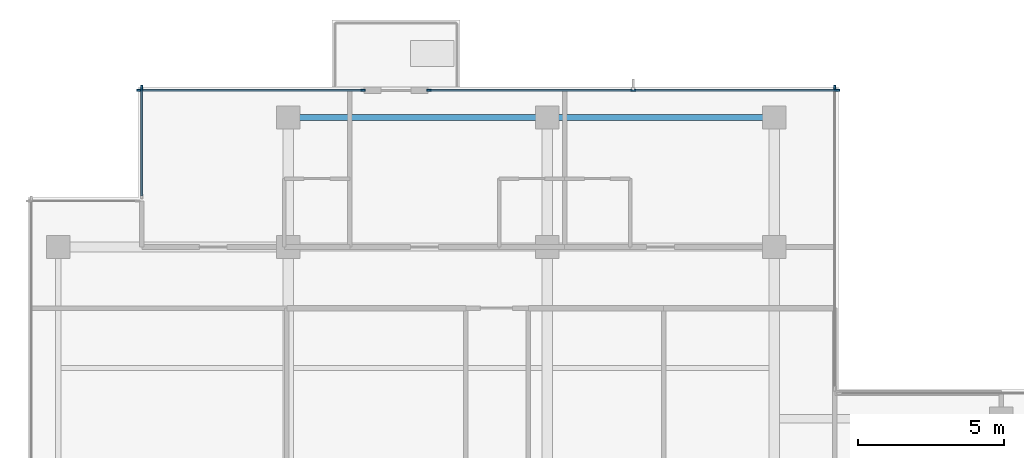
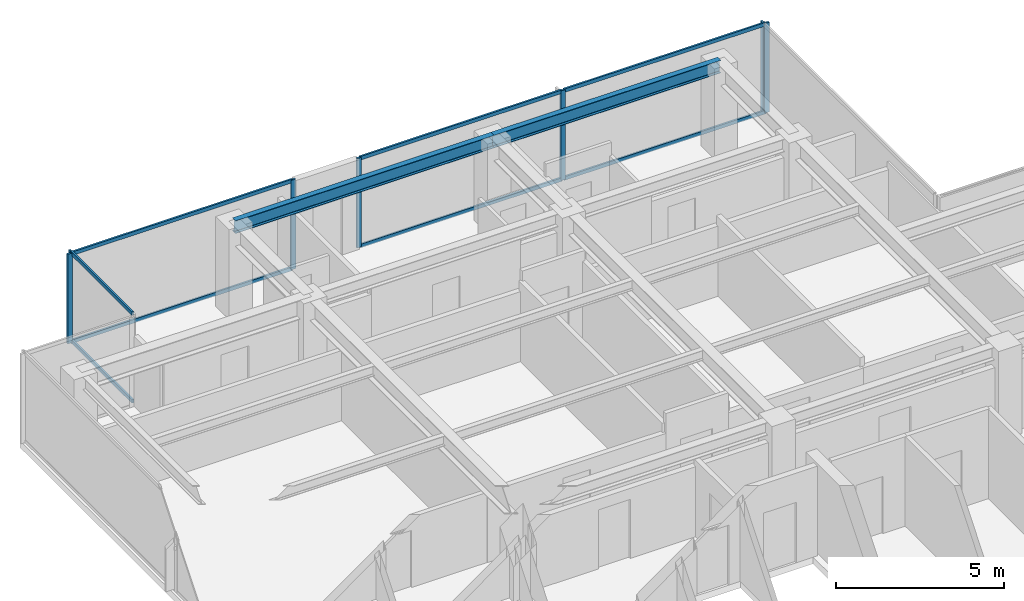
# One storey, part 4 of 11: 15 members, 2 beams, 4 elements without a shape of their own.
"""IFC4 building model written with IfcOpenShell, lengths in metres."""

from ifc_helpers import new_model, si_unit, direction, frame, origin, origin_2d, place, context, subcontext, project, spatial, rectangle, i_section, extrude, material, layer, layer_set, material_profile, profile_set, type_object, element, aggregate, save


model = new_model("IFC4")

# Units and contexts
model_context = context("Model", 3, precision=1e-05, world=origin(), true_north=direction((0.0, 1.0)))
body_context = subcontext(model_context, "Body", "Model", "MODEL_VIEW")
ifc_project = project(units=[si_unit("LENGTHUNIT", "METRE"), si_unit("AREAUNIT", "SQUARE_METRE"), si_unit("VOLUMEUNIT", "CUBIC_METRE"), si_unit("PLANEANGLEUNIT", "RADIAN"), si_unit("MASSUNIT", "GRAM", prefix="KILO")], contexts=[model_context])

# Site, building, storey
site_placement = place(None, origin())
site = spatial("IfcSite", under=ifc_project, at=site_placement, CompositionType="ELEMENT")
building_placement = place(site_placement, origin())
building = spatial("IfcBuilding", under=site, at=building_placement, Name="Qalmaran Belvedere Hotel", CompositionType="ELEMENT")
storey_placement = place(building_placement, frame((0.0, 0.0, 266.89990234375)))
storey = spatial("IfcBuildingStorey", under=building, at=storey_placement, Name="L69", CompositionType="ELEMENT", Elevation=266.89990234375)

# Beams
ifc_material_1 = material(Name="Steel S355JR", Category="steel")
ifc_material_profile_1 = material_profile(ifc_material_1, i_section(OverallWidth=0.19189453125, OverallDepth=0.462890625, WebThickness=0.010498046875, FlangeThickness=0.017578125, FilletRadius=0.01611328125, at=origin_2d()), Name="W460X89")
ifc_profile_set_1 = profile_set([ifc_material_profile_1], Name="Steel S355JR")
beam_type = type_object("IfcBeamType", Name="BM-SP2-W460X89", PredefinedType="SPANDREL", material=ifc_profile_set_1)
beam_1_placement = place(storey_placement, frame((20.300048828125, 37.449951171875, 3.028564453125), z_axis=(1.0, 0.0, 0.0), x_axis=(0.0, 1.0, 0.0)))
element("IfcBeam", 1, at=beam_1_placement, inside=storey, type_object=beam_type, Name="L69 Perimeter Spandrel 04", PredefinedType="SPANDREL", context=body_context, shape_type="SweptSolid", body=[
    extrude(i_section(OverallWidth=0.19189453125, OverallDepth=0.462890625, WebThickness=0.010498046875, FlangeThickness=0.017578125, FilletRadius=0.01611328125, at=origin_2d()), origin(), (0.0, 0.0, 1.0), 8.89990234375),
])
beam_2_placement = place(storey_placement, frame((29.199951171875, 37.449951171875, 3.028564453125), z_axis=(1.0, 0.0, 0.0), x_axis=(0.0, 1.0, 0.0)))
element("IfcBeam", 2, at=beam_2_placement, inside=storey, type_object=beam_type, Name="L69 Perimeter Spandrel 05", PredefinedType="SPANDREL", context=body_context, shape_type="SweptSolid", body=[
    extrude(i_section(OverallWidth=0.19189453125, OverallDepth=0.462890625, WebThickness=0.010498046875, FlangeThickness=0.017578125, FilletRadius=0.01611328125, at=origin_2d()), origin(), (0.0, 0.0, 1.0), 7.800048828125),
])

# Curtain wall, member
ifc_material_2 = material(Name="Anodised Bronze Aluminium", Category="aluminium")
ifc_layer = layer(ifc_material_2, 0.18505859375, Name="Anodised Bronze Aluminium")
ifc_layer_set = layer_set([ifc_layer], Name="Anodised Bronze Aluminium")
curtain_wall_type = type_object("IfcCurtainWallType", Name="CW6-TOWER-SKY", PredefinedType="NOTDEFINED", material=ifc_layer_set)
curtain_wall_1_placement = place(storey_placement, origin())
curtain_wall_1 = element("IfcCurtainWall", 3, at=curtain_wall_1_placement, inside=storey, type_object=curtain_wall_type, Name="L69 Curtain Wall CW6", PredefinedType="NOTDEFINED")
ifc_material_profile_2 = material_profile(ifc_material_2, rectangle(XDim=0.06494140625, YDim=0.1650390625, at=origin_2d()), Name="CWM65X165")
ifc_profile_set_2 = profile_set([ifc_material_profile_2], Name="Anodised Bronze Aluminium")
member_type_1 = type_object("IfcMemberType", Name="CWM-65X165", PredefinedType="MULLION", material=ifc_profile_set_2)
member_1_placement = place(storey_placement, frame((39.080078125, 38.467529296875, 0.0), z_axis=(0.0, 0.0, 1.0), x_axis=(-1.0, 0.0, 0.0)))
member_1 = element("IfcMember", 4, at=member_1_placement, type_object=member_type_1, Name="CW6 mullion 2", PredefinedType="MULLION", context=body_context, shape_type="SweptSolid", body=[
    extrude(rectangle(XDim=0.06494140625, YDim=0.1650390625, at=origin_2d()), origin(), (0.0, 0.0, 1.0), 3.260009765625),
])
aggregate(curtain_wall_1, [member_1])

# Curtain wall, members
curtain_wall_2_placement = place(storey_placement, origin())
curtain_wall_2 = element("IfcCurtainWall", 5, at=curtain_wall_2_placement, inside=storey, type_object=curtain_wall_type, Name="L69 Curtain Wall CW6", PredefinedType="NOTDEFINED")
member_2_placement = place(storey_placement, frame((22.867431640625, 38.3798828125, 0.0), z_axis=(0.0, 0.0, 1.0), x_axis=(0.0, -1.0, 0.0)))
member_2 = element("IfcMember", 6, at=member_2_placement, type_object=member_type_1, Name="CW6 mullion 1", PredefinedType="MULLION", context=body_context, shape_type="SweptSolid", body=[
    extrude(rectangle(XDim=0.06494140625, YDim=0.1650390625, at=origin_2d()), origin(), (0.0, 0.0, 1.0), 3.260009765625),
])
member_3_placement = place(storey_placement, frame((15.1826171875, 38.3798828125, 0.0), z_axis=(0.0, 0.0, 1.0), x_axis=(0.0, -1.0, 0.0)))
member_3 = element("IfcMember", 7, at=member_3_placement, type_object=member_type_1, Name="CW6 mullion 2", PredefinedType="MULLION", context=body_context, shape_type="SweptSolid", body=[
    extrude(rectangle(XDim=0.06494140625, YDim=0.1650390625, at=origin_2d()), origin(), (0.0, 0.0, 1.0), 3.260009765625),
])

curtain_wall_3_placement = place(storey_placement, origin())
curtain_wall_3 = element("IfcCurtainWall", 8, at=curtain_wall_3_placement, inside=storey, type_object=curtain_wall_type, Name="L69 Curtain Wall CW6", PredefinedType="NOTDEFINED")
member_4_placement = place(storey_placement, frame((39.16748046875, 38.3798828125, 0.0), z_axis=(0.0, 0.0, 1.0), x_axis=(0.0, -1.0, 0.0)))
member_4 = element("IfcMember", 9, at=member_4_placement, type_object=member_type_1, Name="CW6 mullion 1", PredefinedType="MULLION", context=body_context, shape_type="SweptSolid", body=[
    extrude(rectangle(XDim=0.06494140625, YDim=0.1650390625, at=origin_2d()), origin(), (0.0, 0.0, 1.0), 3.260009765625),
])
member_5_placement = place(storey_placement, frame((32.14990234375, 38.3798828125, 0.0), z_axis=(0.0, 0.0, 1.0), x_axis=(0.0, -1.0, 0.0)))
member_5 = element("IfcMember", 10, at=member_5_placement, type_object=member_type_1, Name="CW6 mullion 2", PredefinedType="MULLION", context=body_context, shape_type="SweptSolid", body=[
    extrude(rectangle(XDim=0.06494140625, YDim=0.1650390625, at=origin_2d()), origin(), (0.0, 0.0, 1.0), 3.260009765625),
])
member_6_placement = place(storey_placement, frame((25.132568359375, 38.3798828125, 0.0), z_axis=(0.0, 0.0, 1.0), x_axis=(0.0, -1.0, 0.0)))
member_6 = element("IfcMember", 11, at=member_6_placement, type_object=member_type_1, Name="CW6 mullion 3", PredefinedType="MULLION", context=body_context, shape_type="SweptSolid", body=[
    extrude(rectangle(XDim=0.06494140625, YDim=0.1650390625, at=origin_2d()), origin(), (0.0, 0.0, 1.0), 3.260009765625),
])

# Curtain wall, member
curtain_wall_4_placement = place(storey_placement, origin())
curtain_wall_4 = element("IfcCurtainWall", 12, at=curtain_wall_4_placement, inside=storey, type_object=curtain_wall_type, Name="L69 Curtain Wall CW6", PredefinedType="NOTDEFINED")
member_7_placement = place(storey_placement, frame((15.27001953125, 38.467529296875, 0.0), z_axis=(0.0, 0.0, 1.0), x_axis=(1.0, 0.0, 0.0)))
member_7 = element("IfcMember", 13, at=member_7_placement, type_object=member_type_1, Name="CW6 mullion 1", PredefinedType="MULLION", context=body_context, shape_type="SweptSolid", body=[
    extrude(rectangle(XDim=0.06494140625, YDim=0.1650390625, at=origin_2d()), origin(), (0.0, 0.0, 1.0), 3.260009765625),
])

# Member
ifc_material_profile_3 = material_profile(ifc_material_2, rectangle(XDim=0.06494140625, YDim=0.1298828125, at=origin_2d()), Name="CWT65X130")
ifc_profile_set_3 = profile_set([ifc_material_profile_3], Name="Anodised Bronze Aluminium")
member_type_2 = type_object("IfcMemberType", Name="CWT-65X130", PredefinedType="USERDEFINED", material=ifc_profile_set_3)
member_8_placement = place(storey_placement, frame((22.8349609375, 38.3798828125, 0.03271484375), z_axis=(-1.0, 0.0, 0.0), x_axis=(0.0, -1.0, 0.0)))
member_8 = element("IfcMember", 14, at=member_8_placement, type_object=member_type_2, Name="CW6 transom 1.1", ObjectType="TRANSOM", PredefinedType="USERDEFINED", context=body_context, shape_type="SweptSolid", body=[
    extrude(rectangle(XDim=0.06494140625, YDim=0.1298828125, at=origin_2d()), origin(), (0.0, 0.0, 1.0), 7.619873046875),
])

member_9_placement = place(storey_placement, frame((22.8349609375, 38.3798828125, 3.2275390625), z_axis=(-1.0, 0.0, 0.0), x_axis=(0.0, -1.0, 0.0)))
member_9 = element("IfcMember", 15, at=member_9_placement, type_object=member_type_2, Name="CW6 transom 1.2", ObjectType="TRANSOM", PredefinedType="USERDEFINED", context=body_context, shape_type="SweptSolid", body=[
    extrude(rectangle(XDim=0.06494140625, YDim=0.1298828125, at=origin_2d()), origin(), (0.0, 0.0, 1.0), 7.619873046875),
])

aggregate(curtain_wall_2, [member_2, member_3, member_8, member_9])

member_10_placement = place(storey_placement, frame((39.135009765625, 38.3798828125, 0.03271484375), z_axis=(-1.0, 0.0, 0.0), x_axis=(0.0, -1.0, 0.0)))
member_10 = element("IfcMember", 16, at=member_10_placement, type_object=member_type_2, Name="CW6 transom 1.1", ObjectType="TRANSOM", PredefinedType="USERDEFINED", context=body_context, shape_type="SweptSolid", body=[
    extrude(rectangle(XDim=0.06494140625, YDim=0.1298828125, at=origin_2d()), origin(), (0.0, 0.0, 1.0), 6.952392578125),
])

member_11_placement = place(storey_placement, frame((39.135009765625, 38.3798828125, 3.2275390625), z_axis=(-1.0, 0.0, 0.0), x_axis=(0.0, -1.0, 0.0)))
member_11 = element("IfcMember", 17, at=member_11_placement, type_object=member_type_2, Name="CW6 transom 1.2", ObjectType="TRANSOM", PredefinedType="USERDEFINED", context=body_context, shape_type="SweptSolid", body=[
    extrude(rectangle(XDim=0.06494140625, YDim=0.1298828125, at=origin_2d()), origin(), (0.0, 0.0, 1.0), 6.952392578125),
])

member_12_placement = place(storey_placement, frame((32.117431640625, 38.3798828125, 0.03271484375), z_axis=(-1.0, 0.0, 0.0), x_axis=(0.0, -1.0, 0.0)))
member_12 = element("IfcMember", 18, at=member_12_placement, type_object=member_type_2, Name="CW6 transom 2.1", ObjectType="TRANSOM", PredefinedType="USERDEFINED", context=body_context, shape_type="SweptSolid", body=[
    extrude(rectangle(XDim=0.06494140625, YDim=0.1298828125, at=origin_2d()), origin(), (0.0, 0.0, 1.0), 6.952392578125),
])

member_13_placement = place(storey_placement, frame((32.117431640625, 38.3798828125, 3.2275390625), z_axis=(-1.0, 0.0, 0.0), x_axis=(0.0, -1.0, 0.0)))
member_13 = element("IfcMember", 19, at=member_13_placement, type_object=member_type_2, Name="CW6 transom 2.2", ObjectType="TRANSOM", PredefinedType="USERDEFINED", context=body_context, shape_type="SweptSolid", body=[
    extrude(rectangle(XDim=0.06494140625, YDim=0.1298828125, at=origin_2d()), origin(), (0.0, 0.0, 1.0), 6.952392578125),
])

aggregate(curtain_wall_3, [member_4, member_5, member_6, member_10, member_11, member_12, member_13])

member_14_placement = place(storey_placement, frame((15.27001953125, 38.43505859375, 0.03271484375), z_axis=(0.0, -1.0, 0.0), x_axis=(1.0, 0.0, 0.0)))
member_14 = element("IfcMember", 20, at=member_14_placement, type_object=member_type_2, Name="CW6 transom 1.1", ObjectType="TRANSOM", PredefinedType="USERDEFINED", context=body_context, shape_type="SweptSolid", body=[
    extrude(rectangle(XDim=0.06494140625, YDim=0.1298828125, at=origin_2d()), origin(), (0.0, 0.0, 1.0), 3.670166015625),
])

member_15_placement = place(storey_placement, frame((15.27001953125, 38.43505859375, 3.2275390625), z_axis=(0.0, -1.0, 0.0), x_axis=(1.0, 0.0, 0.0)))
member_15 = element("IfcMember", 21, at=member_15_placement, type_object=member_type_2, Name="CW6 transom 1.2", ObjectType="TRANSOM", PredefinedType="USERDEFINED", context=body_context, shape_type="SweptSolid", body=[
    extrude(rectangle(XDim=0.06494140625, YDim=0.1298828125, at=origin_2d()), origin(), (0.0, 0.0, 1.0), 3.670166015625),
])

aggregate(curtain_wall_4, [member_7, member_14, member_15])

save(model, "model.ifc")
